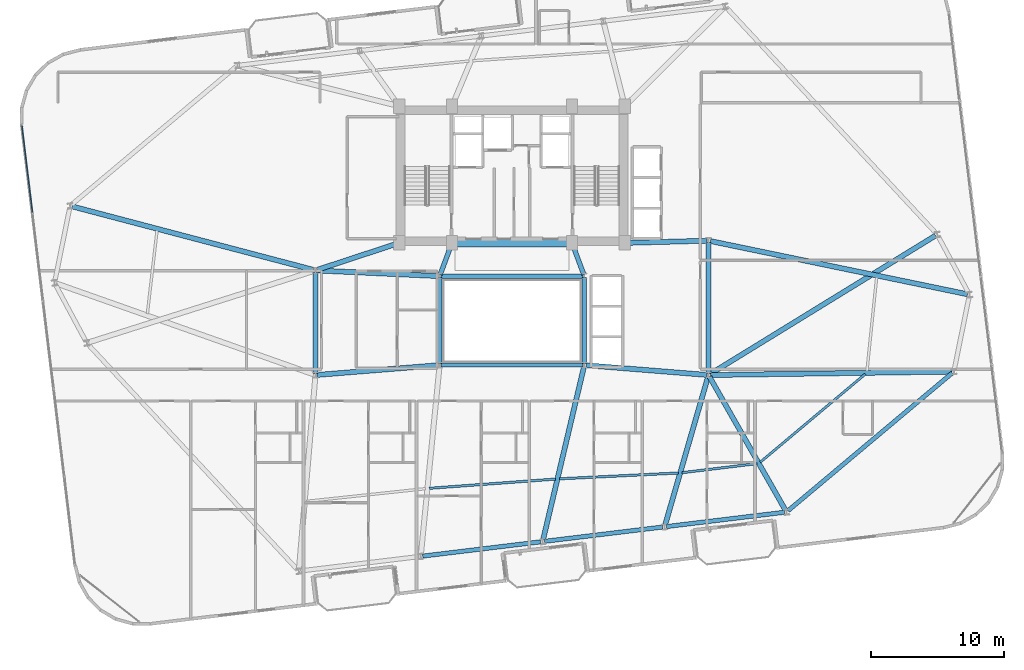
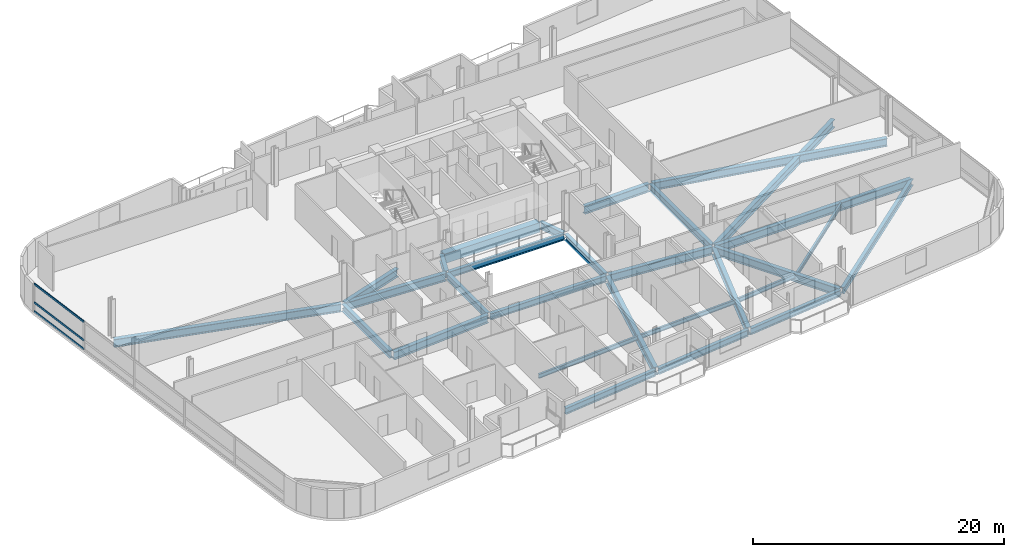
# One storey, part 7 of 24: 29 beams, 3 members, 1 element without a shape of its own.
"""IFC4 building model written with IfcOpenShell, lengths in metres."""

from ifc_helpers import new_model, si_unit, direction, frame, origin, origin_2d, place, context, subcontext, project, spatial, rectangle, hollow_rectangle, i_section, extrude, material, layer, layer_set, material_profile, profile_set, type_object, element, aggregate, save


model = new_model("IFC4")

# Units and contexts
model_context = context("Model", 3, precision=1e-05, world=origin(), true_north=direction((0.0, 1.0)))
body_context = subcontext(model_context, "Body", "Model", "MODEL_VIEW")
ifc_project = project(units=[si_unit("LENGTHUNIT", "METRE"), si_unit("AREAUNIT", "SQUARE_METRE"), si_unit("VOLUMEUNIT", "CUBIC_METRE"), si_unit("PLANEANGLEUNIT", "RADIAN"), si_unit("MASSUNIT", "GRAM", prefix="KILO")], contexts=[model_context])

# Site, building, storey
site_placement = place(None, origin())
site = spatial("IfcSite", under=ifc_project, at=site_placement, CompositionType="ELEMENT")
building_placement = place(site_placement, origin())
building = spatial("IfcBuilding", under=site, at=building_placement, Name="Varnelok Gate Tower", CompositionType="ELEMENT")
storey_placement = place(building_placement, frame((0.0, 0.0, 196.800048828125)))
storey = spatial("IfcBuildingStorey", under=building, at=storey_placement, Name="L50", CompositionType="ELEMENT", Elevation=196.800048828125)

# Beams
ifc_material_1 = material(Name="Structural Steel ASTM A992 Grade 50", Category="steel")
ifc_material_profile_1 = material_profile(ifc_material_1, i_section(OverallWidth=0.180908203125, OverallDepth=0.4169921875, WebThickness=0.010986328125, FlangeThickness=0.018310546875, FilletRadius=0.013916015625, at=origin_2d()), Name="W16X57")
ifc_profile_set_1 = profile_set([ifc_material_profile_1], Name="Structural Steel ASTM A992 Grade 50")
beam_type_1 = type_object("IfcBeamType", Name="BM-JST-W16X57", PredefinedType="JOIST", material=ifc_profile_set_1)
beam_1_placement = place(storey_placement, frame((32.970703125, 10.269775390625, -0.45849609375), z_axis=(0.997322853736, 0.073124041296, 0.0), x_axis=(-0.073124041296, 0.997322853736, 0.0)))
element("IfcBeam", 1, at=beam_1_placement, inside=storey, type_object=beam_type_1, Name="L50 Sector Floor Joist 2", PredefinedType="JOIST", context=body_context, shape_type="SweptSolid", body=[
    extrude(i_section(OverallWidth=0.180908203125, OverallDepth=0.4169921875, WebThickness=0.010986328125, FlangeThickness=0.018310546875, FilletRadius=0.013916015625, at=origin_2d()), origin(), (0.0, 0.0, 1.0), 9.538818359375),
])
beam_2_placement = place(storey_placement, frame((42.763427734375, 10.984375, -0.45849609375), z_axis=(0.998806692887, 0.048838409527, 0.0), x_axis=(-0.048838409527, 0.998806692887, 0.0)))
element("IfcBeam", 2, at=beam_2_placement, inside=storey, type_object=beam_type_1, Name="L50 Sector Floor Joist 3", PredefinedType="JOIST", context=body_context, shape_type="SweptSolid", body=[
    extrude(i_section(OverallWidth=0.180908203125, OverallDepth=0.4169921875, WebThickness=0.010986328125, FlangeThickness=0.018310546875, FilletRadius=0.013916015625, at=origin_2d()), origin(), (0.0, 0.0, 1.0), 8.97314453125),
])
beam_3_placement = place(storey_placement, frame((52.004638671875, 11.4462890625, -0.45849609375), z_axis=(0.992732072323, 0.12034547179, 0.0), x_axis=(-0.12034547179, 0.992732072323, 0.0)))
element("IfcBeam", 3, at=beam_3_placement, inside=storey, type_object=beam_type_1, Name="L50 Sector Floor Joist 4", PredefinedType="JOIST", context=body_context, shape_type="SweptSolid", body=[
    extrude(i_section(OverallWidth=0.180908203125, OverallDepth=0.4169921875, WebThickness=0.010986328125, FlangeThickness=0.018310546875, FilletRadius=0.013916015625, at=origin_2d()), origin(), (0.0, 0.0, 1.0), 5.686279296875),
])
beam_4_placement = place(storey_placement, frame((57.89599609375, 12.2373046875, -0.45849609375), z_axis=(0.766092067024, 0.642730849457, 0.0), x_axis=(-0.642730849457, 0.766092067024, 0.0)))
element("IfcBeam", 4, at=beam_4_placement, inside=storey, type_object=beam_type_1, Name="L50 Sector Floor Joist 5", PredefinedType="JOIST", context=body_context, shape_type="SweptSolid", body=[
    extrude(i_section(OverallWidth=0.180908203125, OverallDepth=0.4169921875, WebThickness=0.010986328125, FlangeThickness=0.018310546875, FilletRadius=0.013916015625, at=origin_2d()), origin(), (0.0, 0.0, 1.0), 10.330810546875),
])
ifc_material_2 = material(Name="Concrete C60/75", Category="concrete")
ifc_material_profile_2 = material_profile(ifc_material_2, rectangle(XDim=0.60009765625, YDim=0.949951171875, at=origin_2d()), Name="RC950X600")
ifc_profile_set_2 = profile_set([ifc_material_profile_2], Name="Concrete C60/75")
beam_type_2 = type_object("IfcBeamType", Name="BM-LNT-RC950", PredefinedType="LINTEL", material=ifc_profile_set_2)
beam_5_placement = place(storey_placement, frame((34.800048828125, 28.75, -0.72509765625), z_axis=(1.0, 0.0, 0.0), x_axis=(0.0, 1.0, 0.0)))
element("IfcBeam", 5, at=beam_5_placement, inside=storey, type_object=beam_type_2, Name="L50 Core-Atrium Spine Beam 7", PredefinedType="LINTEL", context=body_context, shape_type="SweptSolid", body=[
    extrude(rectangle(XDim=0.60009765625, YDim=0.949951171875, at=origin_2d()), origin(), (0.0, 0.0, 1.0), 8.800048828125),
])
ifc_material_profile_3 = material_profile(ifc_material_1, i_section(OverallWidth=0.35498046875, OverallDepth=0.696044921875, WebThickness=0.015380859375, FlangeThickness=0.02490234375, FilletRadius=0.02001953125, at=origin_2d()), Name="W27X146")
ifc_profile_set_3 = profile_set([ifc_material_profile_3], Name="Structural Steel ASTM A992 Grade 50")
beam_type_3 = type_object("IfcBeamType", Name="BM-PRI-W27X146", PredefinedType="BEAM", material=ifc_profile_set_3)
for number, where, z_axis, x_axis, name in (
    (6, (33.791748046875, 26.362548828125, -0.59814453125), (0.348719329408, 0.937227202602, 0.0), (-0.937227202602, 0.348719329408, 0.0), "L50 Core-Atrium Spine Beam 12"),
    (7, (44.608154296875, 26.362548828125, -0.59814453125), (-0.348719329408, 0.937227202602, 0.0), (-0.937227202602, -0.348719329408, 0.0), "L50 Core-Atrium Spine Beam 13"),
):
    element("IfcBeam", number, at=place(storey_placement, frame(where, z_axis=z_axis, x_axis=x_axis)), inside=storey, type_object=beam_type_3, Name=name, PredefinedType="BEAM", context=body_context, shape_type="SweptSolid", body=[
        extrude(i_section(OverallWidth=0.35498046875, OverallDepth=0.696044921875, WebThickness=0.015380859375, FlangeThickness=0.02490234375, FilletRadius=0.02001953125, at=origin_2d()), origin(), (0.0, 0.0, 1.0), 2.42724609375),
    ])
beam_6_placement = place(storey_placement, frame((24.39990234375, 18.919921875, -0.59814453125), z_axis=(0.0, 1.0, 0.0), x_axis=(-1.0, 0.0, 0.0)))
element("IfcBeam", 8, at=beam_6_placement, inside=storey, type_object=beam_type_3, Name="L50 Core-Atrium Spine Beam 16", PredefinedType="BEAM", context=body_context, shape_type="SweptSolid", body=[
    extrude(i_section(OverallWidth=0.35498046875, OverallDepth=0.696044921875, WebThickness=0.015380859375, FlangeThickness=0.02490234375, FilletRadius=0.02001953125, at=origin_2d()), origin(), (0.0, 0.0, 1.0), 7.64013671875),
])
beam_7_placement = place(storey_placement, frame((54.0, 18.919921875, -0.59814453125), z_axis=(0.0, 1.0, 0.0), x_axis=(-1.0, 0.0, 0.0)))
element("IfcBeam", 9, at=beam_7_placement, inside=storey, type_object=beam_type_3, Name="L50 Core-Atrium Spine Beam 20", PredefinedType="BEAM", context=body_context, shape_type="SweptSolid", body=[
    extrude(i_section(OverallWidth=0.35498046875, OverallDepth=0.696044921875, WebThickness=0.015380859375, FlangeThickness=0.02490234375, FilletRadius=0.02001953125, at=origin_2d()), origin(), (0.0, 0.0, 1.0), 9.880126953125),
])
ifc_material_profile_4 = material_profile(ifc_material_1, i_section(OverallWidth=0.381103515625, OverallDepth=0.77294921875, WebThickness=0.0166015625, FlangeThickness=0.027099609375, FilletRadius=0.02197265625, at=origin_2d()), Name="W30X173")
ifc_profile_set_4 = profile_set([ifc_material_profile_4], Name="Structural Steel ASTM A992 Grade 50")
beam_type_4 = type_object("IfcBeamType", Name="BM-PRI-W30X173", PredefinedType="BEAM", material=ifc_profile_set_4)
beam_8_placement = place(storey_placement, frame((24.51953125, 18.8095703125, -0.636474609375), z_axis=(0.996799206292, 0.07994587128, 0.0), x_axis=(-0.07994587128, 0.996799206292, 0.0)))
element("IfcBeam", 10, at=beam_8_placement, inside=storey, type_object=beam_type_4, Name="L50 Core-Atrium Spine Beam 14", PredefinedType="BEAM", context=body_context, shape_type="SweptSolid", body=[
    extrude(i_section(OverallWidth=0.381103515625, OverallDepth=0.77294921875, WebThickness=0.0166015625, FlangeThickness=0.027099609375, FilletRadius=0.02197265625, at=origin_2d()), origin(), (0.0, 0.0, 1.0), 9.14013671875),
])
beam_9_placement = place(storey_placement, frame((24.52001953125, 26.674560546875, -0.636474609375), z_axis=(0.99894427814, -0.045938319209, 0.0), x_axis=(0.045938319209, 0.99894427814, 0.0)))
element("IfcBeam", 11, at=beam_9_placement, inside=storey, type_object=beam_type_4, Name="L50 Core-Atrium Spine Beam 15", PredefinedType="BEAM", context=body_context, shape_type="SweptSolid", body=[
    extrude(i_section(OverallWidth=0.381103515625, OverallDepth=0.77294921875, WebThickness=0.0166015625, FlangeThickness=0.027099609375, FilletRadius=0.02197265625, at=origin_2d()), origin(), (0.0, 0.0, 1.0), 9.11962890625),
])
beam_10_placement = place(storey_placement, frame((24.513916015625, 26.717529296875, -0.636474609375), z_axis=(0.950041943788, 0.312122259768, 0.0), x_axis=(-0.312122259768, 0.950041943788, 0.0)))
element("IfcBeam", 12, at=beam_10_placement, inside=storey, type_object=beam_type_4, Name="L50 Core-Atrium Spine Beam 17", PredefinedType="BEAM", context=body_context, shape_type="SweptSolid", body=[
    extrude(i_section(OverallWidth=0.381103515625, OverallDepth=0.77294921875, WebThickness=0.0166015625, FlangeThickness=0.027099609375, FilletRadius=0.02197265625, at=origin_2d()), origin(), (0.0, 0.0, 1.0), 6.391357421875),
])
beam_11_placement = place(storey_placement, frame((44.76953125, 19.540283203125, -0.636474609375), z_axis=(0.996799206292, -0.07994587128, 0.0), x_axis=(0.07994587128, 0.996799206292, 0.0)))
element("IfcBeam", 13, at=beam_11_placement, inside=storey, type_object=beam_type_4, Name="L50 Core-Atrium Spine Beam 18", PredefinedType="BEAM", context=body_context, shape_type="SweptSolid", body=[
    extrude(i_section(OverallWidth=0.381103515625, OverallDepth=0.77294921875, WebThickness=0.0166015625, FlangeThickness=0.027099609375, FilletRadius=0.02197265625, at=origin_2d()), origin(), (0.0, 0.0, 1.0), 9.14013671875),
])
beam_12_placement = place(storey_placement, frame((47.820068359375, 28.753173828125, -0.636474609375), z_axis=(0.999635880609, 0.026983443053, 0.0), x_axis=(-0.026983443053, 0.999635880609, 0.0)))
element("IfcBeam", 14, at=beam_12_placement, inside=storey, type_object=beam_type_4, Name="L50 Core-Atrium Spine Beam 19", PredefinedType="BEAM", context=body_context, shape_type="SweptSolid", body=[
    extrude(i_section(OverallWidth=0.381103515625, OverallDepth=0.77294921875, WebThickness=0.0166015625, FlangeThickness=0.027099609375, FilletRadius=0.02197265625, at=origin_2d()), origin(), (0.0, 0.0, 1.0), 6.06201171875),
])
beam_13_placement = place(storey_placement, frame((44.615478515625, 19.404052734375, -0.636474609375), z_axis=(-0.230051892852, -0.973178363197, 0.0), x_axis=(0.973178363197, -0.230051892852, 0.0)))
element("IfcBeam", 15, at=beam_13_placement, inside=storey, type_object=beam_type_4, Name="L50 Radial Floor Girder 3", PredefinedType="BEAM", context=body_context, shape_type="SweptSolid", body=[
    extrude(i_section(OverallWidth=0.381103515625, OverallDepth=0.77294921875, WebThickness=0.0166015625, FlangeThickness=0.027099609375, FilletRadius=0.02197265625, at=origin_2d()), origin(), (0.0, 0.0, 1.0), 13.356689453125),
])
beam_14_placement = place(storey_placement, frame((53.958251953125, 18.656005859375, -0.636474609375), z_axis=(-0.278139351158, -0.960540733825, 0.0), x_axis=(0.960540733825, -0.278139351158, 0.0)))
element("IfcBeam", 16, at=beam_14_placement, inside=storey, type_object=beam_type_4, Name="L50 Radial Floor Girder 4", PredefinedType="BEAM", context=body_context, shape_type="SweptSolid", body=[
    extrude(i_section(OverallWidth=0.381103515625, OverallDepth=0.77294921875, WebThickness=0.0166015625, FlangeThickness=0.027099609375, FilletRadius=0.02197265625, at=origin_2d()), origin(), (0.0, 0.0, 1.0), 11.596923828125),
])
beam_15_placement = place(storey_placement, frame((54.07421875, 18.669677734375, -0.636474609375), z_axis=(0.494868053933, -0.868968128988, 0.0), x_axis=(0.868968128988, 0.494868053933, 0.0)))
element("IfcBeam", 17, at=beam_15_placement, inside=storey, type_object=beam_type_4, Name="L50 Radial Floor Girder 5", PredefinedType="BEAM", context=body_context, shape_type="SweptSolid", body=[
    extrude(i_section(OverallWidth=0.381103515625, OverallDepth=0.77294921875, WebThickness=0.0166015625, FlangeThickness=0.027099609375, FilletRadius=0.02197265625, at=origin_2d()), origin(), (0.0, 0.0, 1.0), 11.5693359375),
])
beam_16_placement = place(storey_placement, frame((54.14990234375, 18.802001953125, -0.636474609375), z_axis=(0.999901514109, 0.014034318056, 0.0), x_axis=(-0.014034318056, 0.999901514109, 0.0)))
element("IfcBeam", 18, at=beam_16_placement, inside=storey, type_object=beam_type_4, Name="L50 Radial Floor Girder 6", PredefinedType="BEAM", context=body_context, shape_type="SweptSolid", body=[
    extrude(i_section(OverallWidth=0.381103515625, OverallDepth=0.77294921875, WebThickness=0.0166015625, FlangeThickness=0.027099609375, FilletRadius=0.02197265625, at=origin_2d()), origin(), (0.0, 0.0, 1.0), 18.1787109375),
])
beam_17_placement = place(storey_placement, frame((54.14697265625, 28.8896484375, -0.636474609375), z_axis=(0.979255265667, -0.202630512665, 0.0), x_axis=(0.202630512665, 0.979255265667, 0.0)))
element("IfcBeam", 19, at=beam_17_placement, inside=storey, type_object=beam_type_4, Name="L50 Radial Floor Girder 7", PredefinedType="BEAM", context=body_context, shape_type="SweptSolid", body=[
    extrude(i_section(OverallWidth=0.381103515625, OverallDepth=0.77294921875, WebThickness=0.0166015625, FlangeThickness=0.027099609375, FilletRadius=0.02197265625, at=origin_2d()), origin(), (0.0, 0.0, 1.0), 19.7705078125),
])
beam_18_placement = place(storey_placement, frame((54.127685546875, 18.87841796875, -0.636474609375), z_axis=(0.852014595228, 0.523518031703, 0.0), x_axis=(-0.523518031703, 0.852014595228, 0.0)))
element("IfcBeam", 20, at=beam_18_placement, inside=storey, type_object=beam_type_4, Name="L50 Radial Floor Girder 8", PredefinedType="BEAM", context=body_context, shape_type="SweptSolid", body=[
    extrude(i_section(OverallWidth=0.381103515625, OverallDepth=0.77294921875, WebThickness=0.0166015625, FlangeThickness=0.027099609375, FilletRadius=0.02197265625, at=origin_2d()), origin(), (0.0, 0.0, 1.0), 19.917236328125),
])
beam_19_placement = place(storey_placement, frame((24.2548828125, 26.71826171875, -0.636474609375), z_axis=(-0.967098244451, 0.254403194908, 0.0), x_axis=(-0.254403194908, -0.967098244451, 0.0)))
element("IfcBeam", 21, at=beam_19_placement, inside=storey, type_object=beam_type_4, Name="L50 Radial Floor Girder 14", PredefinedType="BEAM", context=body_context, shape_type="SweptSolid", body=[
    extrude(i_section(OverallWidth=0.381103515625, OverallDepth=0.77294921875, WebThickness=0.0166015625, FlangeThickness=0.027099609375, FilletRadius=0.02197265625, at=origin_2d()), origin(), (0.0, 0.0, 1.0), 18.805419921875),
])
ifc_material_profile_5 = material_profile(ifc_material_1, i_section(OverallWidth=0.323974609375, OverallDepth=0.611083984375, WebThickness=0.0126953125, FlangeThickness=0.01904296875, FilletRadius=0.01806640625, at=origin_2d()), Name="W24X104")
ifc_profile_set_5 = profile_set([ifc_material_profile_5], Name="Structural Steel ASTM A992 Grade 50")
beam_type_5 = type_object("IfcBeamType", Name="BM-SPN-W24X104", PredefinedType="SPANDREL", material=ifc_profile_set_5)
for number, where, z_axis, x_axis, name in (
    (22, (33.8701171875, 19.550048828125, -0.5556640625), (1.0, 0.0, 0.0), (0.0, 1.0, 0.0), "L50 Core-Atrium Spine Beam 8"),
    (23, (33.8701171875, 26.25, -0.5556640625), (1.0, 0.0, 0.0), (0.0, 1.0, 0.0), "L50 Core-Atrium Spine Beam 9"),
):
    element("IfcBeam", number, at=place(storey_placement, frame(where, z_axis=z_axis, x_axis=x_axis)), inside=storey, type_object=beam_type_5, Name=name, PredefinedType="SPANDREL", context=body_context, shape_type="SweptSolid", body=[
        extrude(i_section(OverallWidth=0.323974609375, OverallDepth=0.611083984375, WebThickness=0.0126953125, FlangeThickness=0.01904296875, FilletRadius=0.01806640625, at=origin_2d()), origin(), (0.0, 0.0, 1.0), 10.659912109375),
    ])
for number, where, z_axis, x_axis, name in (
    (24, (33.75, 19.669921875, -0.5556640625), (0.0, 1.0, 0.0), (-1.0, 0.0, 0.0), "L50 Core-Atrium Spine Beam 10"),
    (25, (44.64990234375, 19.669921875, -0.5556640625), (0.0, 1.0, 0.0), (-1.0, 0.0, 0.0), "L50 Core-Atrium Spine Beam 11"),
):
    element("IfcBeam", number, at=place(storey_placement, frame(where, z_axis=z_axis, x_axis=x_axis)), inside=storey, type_object=beam_type_5, Name=name, PredefinedType="SPANDREL", context=body_context, shape_type="SweptSolid", body=[
        extrude(i_section(OverallWidth=0.323974609375, OverallDepth=0.611083984375, WebThickness=0.0126953125, FlangeThickness=0.01904296875, FilletRadius=0.01806640625, at=origin_2d()), origin(), (0.0, 0.0, 1.0), 6.4599609375),
    ])
for number, where, z_axis, x_axis, name in (
    (26, (32.474365234375, 5.164306640625, -0.5556640625), (0.992734670707, 0.120324035735, 0.0), (-0.120324035735, 0.992734670707, 0.0), "L50 Perimeter Spandrel Beam 2"),
    (27, (41.656982421875, 6.277587890625, -0.5556640625), (0.992734670707, 0.120324035735, 0.0), (-0.120324035735, 0.992734670707, 0.0), "L50 Perimeter Spandrel Beam 3"),
    (28, (50.83984375, 7.390625, -0.5556640625), (0.99273141198, 0.120350918849, 0.0), (-0.120350918849, 0.99273141198, 0.0), "L50 Perimeter Spandrel Beam 4"),
):
    element("IfcBeam", number, at=place(storey_placement, frame(where, z_axis=z_axis, x_axis=x_axis)), inside=storey, type_object=beam_type_5, Name=name, PredefinedType="SPANDREL", context=body_context, shape_type="SweptSolid", body=[
        extrude(i_section(OverallWidth=0.323974609375, OverallDepth=0.611083984375, WebThickness=0.0126953125, FlangeThickness=0.01904296875, FilletRadius=0.01806640625, at=origin_2d()), origin(), (0.0, 0.0, 1.0), 8.949951171875),
    ])
beam_20_placement = place(storey_placement, frame((59.98876953125, 8.582275390625, -0.5556640625), z_axis=(0.766099582792, 0.642721891059, 0.0), x_axis=(-0.642721891059, 0.766099582792, 0.0)))
element("IfcBeam", 29, at=beam_20_placement, inside=storey, type_object=beam_type_5, Name="L50 Perimeter Spandrel Beam 5", PredefinedType="SPANDREL", context=body_context, shape_type="SweptSolid", body=[
    extrude(i_section(OverallWidth=0.323974609375, OverallDepth=0.611083984375, WebThickness=0.0126953125, FlangeThickness=0.01904296875, FilletRadius=0.01806640625, at=origin_2d()), origin(), (0.0, 0.0, 1.0), 16.151123046875),
])

# Curtain wall, members
ifc_material_3 = material(Name="Anodized Aluminum Alloy 6063-T6", Category="aluminium")
ifc_layer = layer(ifc_material_3, 0.179931640625)
ifc_layer_set = layer_set([ifc_layer], Name="Anodized Aluminum Alloy 6063-T6")
curtain_wall_type = type_object("IfcCurtainWallType", Name="CW4-RESIDENCE-VISION", PredefinedType="USERDEFINED", material=ifc_layer_set)
curtain_wall_placement = place(storey_placement, origin())
curtain_wall = element("IfcCurtainWall", 30, at=curtain_wall_placement, inside=storey, type_object=curtain_wall_type, Name="L50 West End Vision Curtain Wall", ObjectType="UNITISED CURTAIN WALL", PredefinedType="USERDEFINED")
ifc_material_profile_6 = material_profile(ifc_material_3, hollow_rectangle(XDim=0.074951171875, YDim=0.199951171875, WallThickness=0.00390625, at=origin_2d()), Name="ALU200X75X4")
ifc_profile_set_6 = profile_set([ifc_material_profile_6], Name="Anodized Aluminum Alloy 6063-T6")
member_type = type_object("IfcMemberType", Name="CW-TRAN-200", PredefinedType="USERDEFINED", material=ifc_profile_set_6)
member_1_placement = place(storey_placement, frame((3.085205078125, 31.052978515625, 0.037353515625), z_axis=(-0.120332477695, 0.992733647466, 0.0), x_axis=(-0.992733647466, -0.120332477695, 0.0)))
member_1 = element("IfcMember", 31, at=member_1_placement, type_object=member_type, Name="CW4 transom 5.1", ObjectType="TRANSOM", PredefinedType="USERDEFINED", context=body_context, shape_type="SweptSolid", body=[
    extrude(hollow_rectangle(XDim=0.074951171875, YDim=0.199951171875, WallThickness=0.00390625, at=origin_2d()), origin(), (0.0, 0.0, 1.0), 6.5673828125),
])
member_2_placement = place(storey_placement, frame((3.085205078125, 31.052978515625, 0.89990234375), z_axis=(-0.120332477695, 0.992733647466, 0.0), x_axis=(-0.992733647466, -0.120332477695, 0.0)))
member_2 = element("IfcMember", 32, at=member_2_placement, type_object=member_type, Name="CW4 transom 5.2", ObjectType="TRANSOM", PredefinedType="USERDEFINED", context=body_context, shape_type="SweptSolid", body=[
    extrude(hollow_rectangle(XDim=0.074951171875, YDim=0.199951171875, WallThickness=0.00390625, at=origin_2d()), origin(), (0.0, 0.0, 1.0), 6.5673828125),
])
member_3_placement = place(storey_placement, frame((3.085205078125, 31.052978515625, 2.6923828125), z_axis=(-0.120332477695, 0.992733647466, 0.0), x_axis=(-0.992733647466, -0.120332477695, 0.0)))
member_3 = element("IfcMember", 33, at=member_3_placement, type_object=member_type, Name="CW4 transom 5.3", ObjectType="TRANSOM", PredefinedType="USERDEFINED", context=body_context, shape_type="SweptSolid", body=[
    extrude(hollow_rectangle(XDim=0.074951171875, YDim=0.199951171875, WallThickness=0.00390625, at=origin_2d()), origin(), (0.0, 0.0, 1.0), 6.5673828125),
])
aggregate(curtain_wall, [member_1, member_2, member_3])

save(model, "model.ifc")
